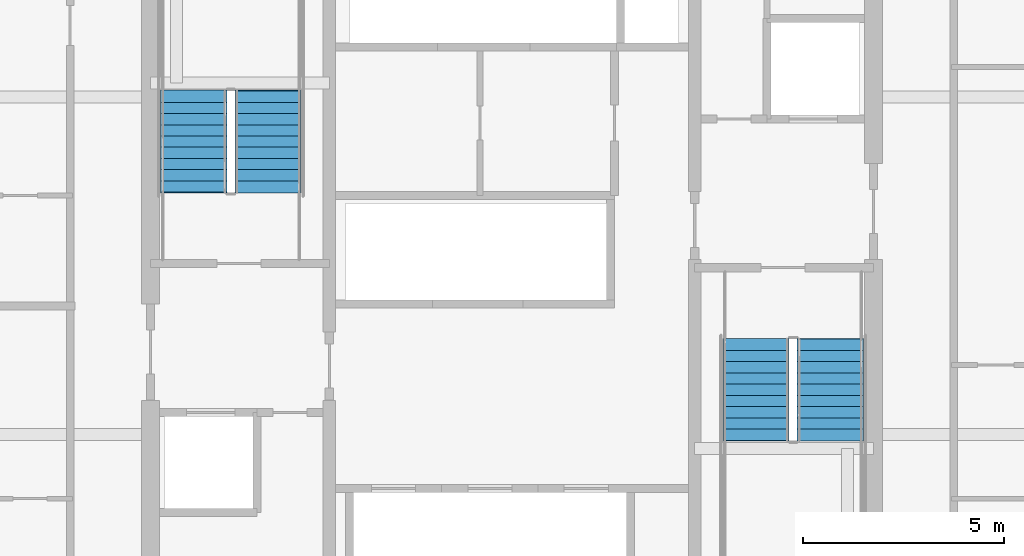
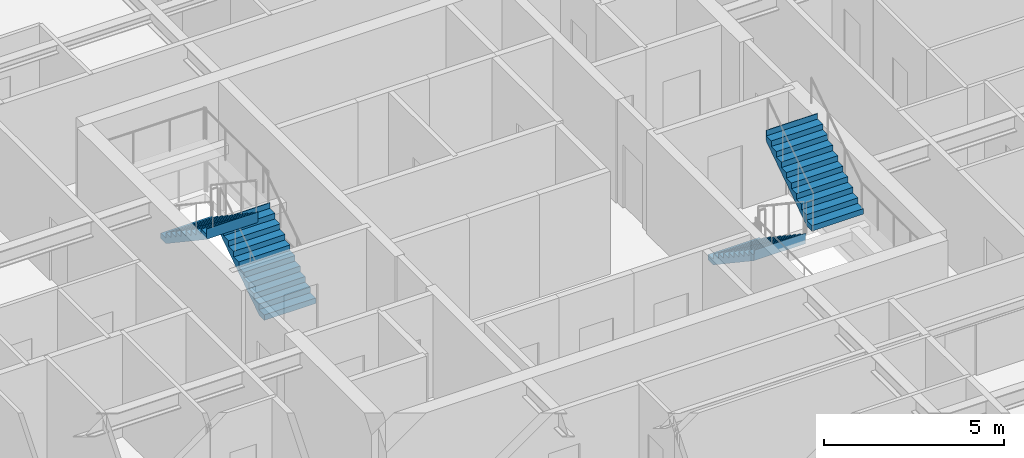
# One storey, part 29 of 35: 4 stair flights, 2 elements without a shape of their own.
"""IFC4 building model written with IfcOpenShell, lengths in metres."""

from ifc_helpers import new_model, si_unit, direction, frame, origin, place, context, subcontext, project, spatial, polygons, material, type_object, element, aggregate, save


model = new_model("IFC4")

# Units and contexts
model_context = context("Model", 3, precision=1e-05, world=origin(), true_north=direction((0.0, 1.0)))
body_context = subcontext(model_context, "Body", "Model", "MODEL_VIEW")
ifc_project = project(units=[si_unit("LENGTHUNIT", "METRE"), si_unit("AREAUNIT", "SQUARE_METRE"), si_unit("VOLUMEUNIT", "CUBIC_METRE"), si_unit("PLANEANGLEUNIT", "RADIAN"), si_unit("MASSUNIT", "GRAM", prefix="KILO")], contexts=[model_context])

# Site, building, storey
site_placement = place(None, origin())
site = spatial("IfcSite", under=ifc_project, at=site_placement, CompositionType="ELEMENT")
building_placement = place(site_placement, origin())
building = spatial("IfcBuilding", under=site, at=building_placement, Name="Serunith Strait Residences", CompositionType="ELEMENT")
storey_placement = place(building_placement, frame((0.0, 0.0, 71.699951171875)))
storey = spatial("IfcBuildingStorey", under=building, at=storey_placement, Name="L17", CompositionType="ELEMENT", Elevation=71.699951171875)

# Stair, stair flights
ifc_material = material(Name="Concrete C50/60", Category="concrete")
stair_type_1 = type_object("IfcStairType", Name="STR-CORE-1", PredefinedType="HALF_TURN_STAIR", material=ifc_material)
stair_1_placement = place(storey_placement, origin())
stair_1 = element("IfcStair", 1, at=stair_1_placement, inside=storey, type_object=stair_type_1, Name="L17 Protected Escape Stair ST-1", PredefinedType="HALF_TURN_STAIR")
stair_flight_type_1 = type_object("IfcStairFlightType", Name="FLT-CORE-1", PredefinedType="STRAIGHT", material=ifc_material)
stair_flight_1_placement = place(storey_placement, frame((26.324951171875, 27.030029296875, 0.0), z_axis=(0.0, 0.0, 1.0), x_axis=(0.0, 1.0, 0.0)))
stair_flight_1 = element("IfcStairFlight", 2, at=stair_flight_1_placement, type_object=stair_flight_type_1, Name="ST-1 flight 1", NumberOfRisers=10, NumberOfTreads=9, PredefinedType="STRAIGHT", RiserHeight=0.1875, TreadLength=0.28, context=body_context, shape_type="Tessellation", body=[
    polygons([(-0.02001953125, -0.824951171875, 0.0), (-0.02001953125, -0.824951171875, 0.1875), (0.280029296875, -0.824951171875, 0.1875), (0.280029296875, -0.824951171875, 0.375), (0.56005859375, -0.824951171875, 0.375), (0.56005859375, -0.824951171875, 0.5625), (0.840087890625, -0.824951171875, 0.5625), (0.840087890625, -0.824951171875, 0.75), (1.1201171875, -0.824951171875, 0.75), (1.1201171875, -0.824951171875, 0.9375), (1.39990234375, -0.824951171875, 0.9375), (1.39990234375, -0.824951171875, 1.125), (1.679931640625, -0.824951171875, 1.125), (1.679931640625, -0.824951171875, 1.3125), (1.9599609375, -0.824951171875, 1.3125), (1.9599609375, -0.824951171875, 1.5), (2.239990234375, -0.824951171875, 1.5), (2.239990234375, -0.824951171875, 1.6875), (2.52001953125, -0.824951171875, 1.6875), (2.52001953125, -0.824951171875, 1.875), (2.5400390625, -0.824951171875, 1.875), (2.5400390625, -0.824951171875, 1.81494140625), (2.52001953125, -0.824951171875, 1.507080078125), (0.26953125, -0.824951171875, 0.0), (-0.02001953125, -0.41259765625, 0.0), (-0.02001953125, -0.41259765625, 0.1875), (0.280029296875, -0.41259765625, 0.1875), (0.280029296875, -0.41259765625, 0.375), (0.56005859375, -0.41259765625, 0.375), (0.56005859375, -0.41259765625, 0.5625), (0.840087890625, -0.41259765625, 0.5625), (0.840087890625, -0.41259765625, 0.75), (1.1201171875, -0.41259765625, 0.75), (1.1201171875, -0.41259765625, 0.9375), (1.39990234375, -0.41259765625, 0.9375), (1.39990234375, -0.41259765625, 1.125), (1.679931640625, -0.41259765625, 1.125), (1.679931640625, -0.41259765625, 1.3125), (1.9599609375, -0.41259765625, 1.3125), (1.9599609375, -0.41259765625, 1.5), (2.239990234375, -0.41259765625, 1.5), (2.239990234375, -0.41259765625, 1.6875), (2.52001953125, -0.41259765625, 1.6875), (2.52001953125, -0.41259765625, 1.875), (2.5400390625, -0.41259765625, 1.875), (2.5400390625, -0.41259765625, 1.81494140625), (2.52001953125, -0.41259765625, 1.507080078125), (0.26953125, -0.41259765625, 0.0), (-0.02001953125, 0.0, 0.0), (-0.02001953125, 0.0, 0.1875), (0.280029296875, 0.0, 0.1875), (0.280029296875, 0.0, 0.375), (0.56005859375, 0.0, 0.375), (0.56005859375, 0.0, 0.5625), (0.840087890625, 0.0, 0.5625), (0.840087890625, 0.0, 0.75), (1.1201171875, 0.0, 0.75), (1.1201171875, 0.0, 0.9375), (1.39990234375, 0.0, 0.9375), (1.39990234375, 0.0, 1.125), (1.679931640625, 0.0, 1.125), (1.679931640625, 0.0, 1.3125), (1.9599609375, 0.0, 1.3125), (1.9599609375, 0.0, 1.5), (2.239990234375, 0.0, 1.5), (2.239990234375, 0.0, 1.6875), (2.52001953125, 0.0, 1.6875), (2.52001953125, 0.0, 1.875), (2.5400390625, 0.0, 1.875), (2.5400390625, 0.0, 1.81494140625), (2.52001953125, 0.0, 1.507080078125), (0.26953125, 0.0, 0.0), (-0.02001953125, 0.41259765625, 0.0), (-0.02001953125, 0.41259765625, 0.1875), (0.280029296875, 0.41259765625, 0.1875), (0.280029296875, 0.41259765625, 0.375), (0.56005859375, 0.41259765625, 0.375), (0.56005859375, 0.41259765625, 0.5625), (0.840087890625, 0.41259765625, 0.5625), (0.840087890625, 0.41259765625, 0.75), (1.1201171875, 0.41259765625, 0.75), (1.1201171875, 0.41259765625, 0.9375), (1.39990234375, 0.41259765625, 0.9375), (1.39990234375, 0.41259765625, 1.125), (1.679931640625, 0.41259765625, 1.125), (1.679931640625, 0.41259765625, 1.3125), (1.9599609375, 0.41259765625, 1.3125), (1.9599609375, 0.41259765625, 1.5), (2.239990234375, 0.41259765625, 1.5), (2.239990234375, 0.41259765625, 1.6875), (2.52001953125, 0.41259765625, 1.6875), (2.52001953125, 0.41259765625, 1.875), (2.5400390625, 0.41259765625, 1.875), (2.5400390625, 0.41259765625, 1.81494140625), (2.52001953125, 0.41259765625, 1.507080078125), (0.26953125, 0.41259765625, 0.0), (-0.02001953125, 0.824951171875, 0.0), (-0.02001953125, 0.824951171875, 0.1875), (0.280029296875, 0.824951171875, 0.1875), (0.280029296875, 0.824951171875, 0.375), (0.56005859375, 0.824951171875, 0.375), (0.56005859375, 0.824951171875, 0.5625), (0.840087890625, 0.824951171875, 0.5625), (0.840087890625, 0.824951171875, 0.75), (1.1201171875, 0.824951171875, 0.75), (1.1201171875, 0.824951171875, 0.9375), (1.39990234375, 0.824951171875, 0.9375), (1.39990234375, 0.824951171875, 1.125), (1.679931640625, 0.824951171875, 1.125), (1.679931640625, 0.824951171875, 1.3125), (1.9599609375, 0.824951171875, 1.3125), (1.9599609375, 0.824951171875, 1.5), (2.239990234375, 0.824951171875, 1.5), (2.239990234375, 0.824951171875, 1.6875), (2.52001953125, 0.824951171875, 1.6875), (2.52001953125, 0.824951171875, 1.875), (2.5400390625, 0.824951171875, 1.875), (2.5400390625, 0.824951171875, 1.81494140625), (2.52001953125, 0.824951171875, 1.507080078125), (0.26953125, 0.824951171875, 0.0)], [[[1, 2, 26, 25]], [[2, 3, 27, 26]], [[3, 4, 28, 27]], [[4, 5, 29, 28]], [[5, 6, 30, 29]], [[6, 7, 31, 30]], [[7, 8, 32, 31]], [[8, 9, 33, 32]], [[9, 10, 34, 33]], [[10, 11, 35, 34]], [[11, 12, 36, 35]], [[12, 13, 37, 36]], [[13, 14, 38, 37]], [[14, 15, 39, 38]], [[15, 16, 40, 39]], [[16, 17, 41, 40]], [[17, 18, 42, 41]], [[18, 19, 43, 42]], [[19, 20, 44, 43]], [[20, 21, 45, 44]], [[21, 22, 46, 45]], [[22, 23, 47, 46]], [[23, 24, 48, 47]], [[24, 1, 25, 48]], [[25, 26, 50, 49]], [[26, 27, 51, 50]], [[27, 28, 52, 51]], [[28, 29, 53, 52]], [[29, 30, 54, 53]], [[30, 31, 55, 54]], [[31, 32, 56, 55]], [[32, 33, 57, 56]], [[33, 34, 58, 57]], [[34, 35, 59, 58]], [[35, 36, 60, 59]], [[36, 37, 61, 60]], [[37, 38, 62, 61]], [[38, 39, 63, 62]], [[39, 40, 64, 63]], [[40, 41, 65, 64]], [[41, 42, 66, 65]], [[42, 43, 67, 66]], [[43, 44, 68, 67]], [[44, 45, 69, 68]], [[45, 46, 70, 69]], [[46, 47, 71, 70]], [[47, 48, 72, 71]], [[48, 25, 49, 72]], [[49, 50, 74, 73]], [[50, 51, 75, 74]], [[51, 52, 76, 75]], [[52, 53, 77, 76]], [[53, 54, 78, 77]], [[54, 55, 79, 78]], [[55, 56, 80, 79]], [[56, 57, 81, 80]], [[57, 58, 82, 81]], [[58, 59, 83, 82]], [[59, 60, 84, 83]], [[60, 61, 85, 84]], [[61, 62, 86, 85]], [[62, 63, 87, 86]], [[63, 64, 88, 87]], [[64, 65, 89, 88]], [[65, 66, 90, 89]], [[66, 67, 91, 90]], [[67, 68, 92, 91]], [[68, 69, 93, 92]], [[69, 70, 94, 93]], [[70, 71, 95, 94]], [[71, 72, 96, 95]], [[72, 49, 73, 96]], [[73, 74, 98, 97]], [[74, 75, 99, 98]], [[75, 76, 100, 99]], [[76, 77, 101, 100]], [[77, 78, 102, 101]], [[78, 79, 103, 102]], [[79, 80, 104, 103]], [[80, 81, 105, 104]], [[81, 82, 106, 105]], [[82, 83, 107, 106]], [[83, 84, 108, 107]], [[84, 85, 109, 108]], [[85, 86, 110, 109]], [[86, 87, 111, 110]], [[87, 88, 112, 111]], [[88, 89, 113, 112]], [[89, 90, 114, 113]], [[90, 91, 115, 114]], [[91, 92, 116, 115]], [[92, 93, 117, 116]], [[93, 94, 118, 117]], [[94, 95, 119, 118]], [[95, 96, 120, 119]], [[96, 73, 97, 120]], [[24, 23, 22, 21, 20, 19, 18, 17, 16, 15, 14, 13, 12, 11, 10, 9, 8, 7, 6, 5, 4, 3, 2, 1]], [[97, 98, 99, 100, 101, 102, 103, 104, 105, 106, 107, 108, 109, 110, 111, 112, 113, 114, 115, 116, 117, 118, 119, 120]]], closed=True),
])
stair_flight_2_placement = place(storey_placement, frame((24.47509765625, 29.550048828125, 1.875), z_axis=(0.0, 0.0, 1.0), x_axis=(0.0, -1.0, 0.0)))
stair_flight_2 = element("IfcStairFlight", 3, at=stair_flight_2_placement, type_object=stair_flight_type_1, Name="ST-1 flight 2", NumberOfRisers=10, NumberOfTreads=9, PredefinedType="STRAIGHT", RiserHeight=0.1875, TreadLength=0.28, context=body_context, shape_type="Tessellation", body=[
    polygons([(-0.02001953125, -0.824951171875, 0.0), (-0.02001953125, -0.824951171875, 0.1875), (0.280029296875, -0.824951171875, 0.1875), (0.280029296875, -0.824951171875, 0.375), (0.56005859375, -0.824951171875, 0.375), (0.56005859375, -0.824951171875, 0.5625), (0.840087890625, -0.824951171875, 0.5625), (0.840087890625, -0.824951171875, 0.75), (1.1201171875, -0.824951171875, 0.75), (1.1201171875, -0.824951171875, 0.9375), (1.39990234375, -0.824951171875, 0.9375), (1.39990234375, -0.824951171875, 1.125), (1.679931640625, -0.824951171875, 1.125), (1.679931640625, -0.824951171875, 1.3125), (1.9599609375, -0.824951171875, 1.3125), (1.9599609375, -0.824951171875, 1.5), (2.239990234375, -0.824951171875, 1.5), (2.239990234375, -0.824951171875, 1.6875), (2.52001953125, -0.824951171875, 1.6875), (2.52001953125, -0.824951171875, 1.875), (2.5400390625, -0.824951171875, 1.875), (2.5400390625, -0.824951171875, 1.81494140625), (2.52001953125, -0.824951171875, 1.507080078125), (0.26953125, -0.824951171875, 0.0), (-0.02001953125, -0.41259765625, 0.0), (-0.02001953125, -0.41259765625, 0.1875), (0.280029296875, -0.41259765625, 0.1875), (0.280029296875, -0.41259765625, 0.375), (0.56005859375, -0.41259765625, 0.375), (0.56005859375, -0.41259765625, 0.5625), (0.840087890625, -0.41259765625, 0.5625), (0.840087890625, -0.41259765625, 0.75), (1.1201171875, -0.41259765625, 0.75), (1.1201171875, -0.41259765625, 0.9375), (1.39990234375, -0.41259765625, 0.9375), (1.39990234375, -0.41259765625, 1.125), (1.679931640625, -0.41259765625, 1.125), (1.679931640625, -0.41259765625, 1.3125), (1.9599609375, -0.41259765625, 1.3125), (1.9599609375, -0.41259765625, 1.5), (2.239990234375, -0.41259765625, 1.5), (2.239990234375, -0.41259765625, 1.6875), (2.52001953125, -0.41259765625, 1.6875), (2.52001953125, -0.41259765625, 1.875), (2.5400390625, -0.41259765625, 1.875), (2.5400390625, -0.41259765625, 1.81494140625), (2.52001953125, -0.41259765625, 1.507080078125), (0.26953125, -0.41259765625, 0.0), (-0.02001953125, 0.0, 0.0), (-0.02001953125, 0.0, 0.1875), (0.280029296875, 0.0, 0.1875), (0.280029296875, 0.0, 0.375), (0.56005859375, 0.0, 0.375), (0.56005859375, 0.0, 0.5625), (0.840087890625, 0.0, 0.5625), (0.840087890625, 0.0, 0.75), (1.1201171875, 0.0, 0.75), (1.1201171875, 0.0, 0.9375), (1.39990234375, 0.0, 0.9375), (1.39990234375, 0.0, 1.125), (1.679931640625, 0.0, 1.125), (1.679931640625, 0.0, 1.3125), (1.9599609375, 0.0, 1.3125), (1.9599609375, 0.0, 1.5), (2.239990234375, 0.0, 1.5), (2.239990234375, 0.0, 1.6875), (2.52001953125, 0.0, 1.6875), (2.52001953125, 0.0, 1.875), (2.5400390625, 0.0, 1.875), (2.5400390625, 0.0, 1.81494140625), (2.52001953125, 0.0, 1.507080078125), (0.26953125, 0.0, 0.0), (-0.02001953125, 0.41259765625, 0.0), (-0.02001953125, 0.41259765625, 0.1875), (0.280029296875, 0.41259765625, 0.1875), (0.280029296875, 0.41259765625, 0.375), (0.56005859375, 0.41259765625, 0.375), (0.56005859375, 0.41259765625, 0.5625), (0.840087890625, 0.41259765625, 0.5625), (0.840087890625, 0.41259765625, 0.75), (1.1201171875, 0.41259765625, 0.75), (1.1201171875, 0.41259765625, 0.9375), (1.39990234375, 0.41259765625, 0.9375), (1.39990234375, 0.41259765625, 1.125), (1.679931640625, 0.41259765625, 1.125), (1.679931640625, 0.41259765625, 1.3125), (1.9599609375, 0.41259765625, 1.3125), (1.9599609375, 0.41259765625, 1.5), (2.239990234375, 0.41259765625, 1.5), (2.239990234375, 0.41259765625, 1.6875), (2.52001953125, 0.41259765625, 1.6875), (2.52001953125, 0.41259765625, 1.875), (2.5400390625, 0.41259765625, 1.875), (2.5400390625, 0.41259765625, 1.81494140625), (2.52001953125, 0.41259765625, 1.507080078125), (0.26953125, 0.41259765625, 0.0), (-0.02001953125, 0.824951171875, 0.0), (-0.02001953125, 0.824951171875, 0.1875), (0.280029296875, 0.824951171875, 0.1875), (0.280029296875, 0.824951171875, 0.375), (0.56005859375, 0.824951171875, 0.375), (0.56005859375, 0.824951171875, 0.5625), (0.840087890625, 0.824951171875, 0.5625), (0.840087890625, 0.824951171875, 0.75), (1.1201171875, 0.824951171875, 0.75), (1.1201171875, 0.824951171875, 0.9375), (1.39990234375, 0.824951171875, 0.9375), (1.39990234375, 0.824951171875, 1.125), (1.679931640625, 0.824951171875, 1.125), (1.679931640625, 0.824951171875, 1.3125), (1.9599609375, 0.824951171875, 1.3125), (1.9599609375, 0.824951171875, 1.5), (2.239990234375, 0.824951171875, 1.5), (2.239990234375, 0.824951171875, 1.6875), (2.52001953125, 0.824951171875, 1.6875), (2.52001953125, 0.824951171875, 1.875), (2.5400390625, 0.824951171875, 1.875), (2.5400390625, 0.824951171875, 1.81494140625), (2.52001953125, 0.824951171875, 1.507080078125), (0.26953125, 0.824951171875, 0.0)], [[[1, 2, 26, 25]], [[2, 3, 27, 26]], [[3, 4, 28, 27]], [[4, 5, 29, 28]], [[5, 6, 30, 29]], [[6, 7, 31, 30]], [[7, 8, 32, 31]], [[8, 9, 33, 32]], [[9, 10, 34, 33]], [[10, 11, 35, 34]], [[11, 12, 36, 35]], [[12, 13, 37, 36]], [[13, 14, 38, 37]], [[14, 15, 39, 38]], [[15, 16, 40, 39]], [[16, 17, 41, 40]], [[17, 18, 42, 41]], [[18, 19, 43, 42]], [[19, 20, 44, 43]], [[20, 21, 45, 44]], [[21, 22, 46, 45]], [[22, 23, 47, 46]], [[23, 24, 48, 47]], [[24, 1, 25, 48]], [[25, 26, 50, 49]], [[26, 27, 51, 50]], [[27, 28, 52, 51]], [[28, 29, 53, 52]], [[29, 30, 54, 53]], [[30, 31, 55, 54]], [[31, 32, 56, 55]], [[32, 33, 57, 56]], [[33, 34, 58, 57]], [[34, 35, 59, 58]], [[35, 36, 60, 59]], [[36, 37, 61, 60]], [[37, 38, 62, 61]], [[38, 39, 63, 62]], [[39, 40, 64, 63]], [[40, 41, 65, 64]], [[41, 42, 66, 65]], [[42, 43, 67, 66]], [[43, 44, 68, 67]], [[44, 45, 69, 68]], [[45, 46, 70, 69]], [[46, 47, 71, 70]], [[47, 48, 72, 71]], [[48, 25, 49, 72]], [[49, 50, 74, 73]], [[50, 51, 75, 74]], [[51, 52, 76, 75]], [[52, 53, 77, 76]], [[53, 54, 78, 77]], [[54, 55, 79, 78]], [[55, 56, 80, 79]], [[56, 57, 81, 80]], [[57, 58, 82, 81]], [[58, 59, 83, 82]], [[59, 60, 84, 83]], [[60, 61, 85, 84]], [[61, 62, 86, 85]], [[62, 63, 87, 86]], [[63, 64, 88, 87]], [[64, 65, 89, 88]], [[65, 66, 90, 89]], [[66, 67, 91, 90]], [[67, 68, 92, 91]], [[68, 69, 93, 92]], [[69, 70, 94, 93]], [[70, 71, 95, 94]], [[71, 72, 96, 95]], [[72, 49, 73, 96]], [[73, 74, 98, 97]], [[74, 75, 99, 98]], [[75, 76, 100, 99]], [[76, 77, 101, 100]], [[77, 78, 102, 101]], [[78, 79, 103, 102]], [[79, 80, 104, 103]], [[80, 81, 105, 104]], [[81, 82, 106, 105]], [[82, 83, 107, 106]], [[83, 84, 108, 107]], [[84, 85, 109, 108]], [[85, 86, 110, 109]], [[86, 87, 111, 110]], [[87, 88, 112, 111]], [[88, 89, 113, 112]], [[89, 90, 114, 113]], [[90, 91, 115, 114]], [[91, 92, 116, 115]], [[92, 93, 117, 116]], [[93, 94, 118, 117]], [[94, 95, 119, 118]], [[95, 96, 120, 119]], [[96, 73, 97, 120]], [[24, 23, 22, 21, 20, 19, 18, 17, 16, 15, 14, 13, 12, 11, 10, 9, 8, 7, 6, 5, 4, 3, 2, 1]], [[97, 98, 99, 100, 101, 102, 103, 104, 105, 106, 107, 108, 109, 110, 111, 112, 113, 114, 115, 116, 117, 118, 119, 120]]], closed=True),
])
aggregate(stair_1, [stair_flight_1, stair_flight_2])

stair_type_2 = type_object("IfcStairType", Name="STR-CORE-2", PredefinedType="HALF_TURN_STAIR", material=ifc_material)
stair_2_placement = place(storey_placement, origin())
stair_2 = element("IfcStair", 4, at=stair_2_placement, inside=storey, type_object=stair_type_2, Name="L17 Protected Escape Stair ST-2", PredefinedType="HALF_TURN_STAIR")
stair_flight_type_2 = type_object("IfcStairFlightType", Name="FLT-CORE-2", PredefinedType="STRAIGHT", material=ifc_material)
stair_flight_3_placement = place(storey_placement, frame((38.47509765625, 23.3701171875, 0.0), z_axis=(0.0, 0.0, 1.0), x_axis=(0.0, -1.0, 0.0)))
stair_flight_3 = element("IfcStairFlight", 5, at=stair_flight_3_placement, type_object=stair_flight_type_2, Name="ST-2 flight 1", NumberOfRisers=10, NumberOfTreads=9, PredefinedType="STRAIGHT", RiserHeight=0.1875, TreadLength=0.28, context=body_context, shape_type="Tessellation", body=[
    polygons([(-0.02001953125, -0.824951171875, 0.0), (-0.02001953125, -0.824951171875, 0.1875), (0.280029296875, -0.824951171875, 0.1875), (0.280029296875, -0.824951171875, 0.375), (0.56005859375, -0.824951171875, 0.375), (0.56005859375, -0.824951171875, 0.5625), (0.840087890625, -0.824951171875, 0.5625), (0.840087890625, -0.824951171875, 0.75), (1.1201171875, -0.824951171875, 0.75), (1.1201171875, -0.824951171875, 0.9375), (1.39990234375, -0.824951171875, 0.9375), (1.39990234375, -0.824951171875, 1.125), (1.679931640625, -0.824951171875, 1.125), (1.679931640625, -0.824951171875, 1.3125), (1.9599609375, -0.824951171875, 1.3125), (1.9599609375, -0.824951171875, 1.5), (2.239990234375, -0.824951171875, 1.5), (2.239990234375, -0.824951171875, 1.6875), (2.52001953125, -0.824951171875, 1.6875), (2.52001953125, -0.824951171875, 1.875), (2.5400390625, -0.824951171875, 1.875), (2.5400390625, -0.824951171875, 1.81494140625), (2.52001953125, -0.824951171875, 1.507080078125), (0.26953125, -0.824951171875, 0.0), (-0.02001953125, -0.41259765625, 0.0), (-0.02001953125, -0.41259765625, 0.1875), (0.280029296875, -0.41259765625, 0.1875), (0.280029296875, -0.41259765625, 0.375), (0.56005859375, -0.41259765625, 0.375), (0.56005859375, -0.41259765625, 0.5625), (0.840087890625, -0.41259765625, 0.5625), (0.840087890625, -0.41259765625, 0.75), (1.1201171875, -0.41259765625, 0.75), (1.1201171875, -0.41259765625, 0.9375), (1.39990234375, -0.41259765625, 0.9375), (1.39990234375, -0.41259765625, 1.125), (1.679931640625, -0.41259765625, 1.125), (1.679931640625, -0.41259765625, 1.3125), (1.9599609375, -0.41259765625, 1.3125), (1.9599609375, -0.41259765625, 1.5), (2.239990234375, -0.41259765625, 1.5), (2.239990234375, -0.41259765625, 1.6875), (2.52001953125, -0.41259765625, 1.6875), (2.52001953125, -0.41259765625, 1.875), (2.5400390625, -0.41259765625, 1.875), (2.5400390625, -0.41259765625, 1.81494140625), (2.52001953125, -0.41259765625, 1.507080078125), (0.26953125, -0.41259765625, 0.0), (-0.02001953125, 0.0, 0.0), (-0.02001953125, 0.0, 0.1875), (0.280029296875, 0.0, 0.1875), (0.280029296875, 0.0, 0.375), (0.56005859375, 0.0, 0.375), (0.56005859375, 0.0, 0.5625), (0.840087890625, 0.0, 0.5625), (0.840087890625, 0.0, 0.75), (1.1201171875, 0.0, 0.75), (1.1201171875, 0.0, 0.9375), (1.39990234375, 0.0, 0.9375), (1.39990234375, 0.0, 1.125), (1.679931640625, 0.0, 1.125), (1.679931640625, 0.0, 1.3125), (1.9599609375, 0.0, 1.3125), (1.9599609375, 0.0, 1.5), (2.239990234375, 0.0, 1.5), (2.239990234375, 0.0, 1.6875), (2.52001953125, 0.0, 1.6875), (2.52001953125, 0.0, 1.875), (2.5400390625, 0.0, 1.875), (2.5400390625, 0.0, 1.81494140625), (2.52001953125, 0.0, 1.507080078125), (0.26953125, 0.0, 0.0), (-0.02001953125, 0.41259765625, 0.0), (-0.02001953125, 0.41259765625, 0.1875), (0.280029296875, 0.41259765625, 0.1875), (0.280029296875, 0.41259765625, 0.375), (0.56005859375, 0.41259765625, 0.375), (0.56005859375, 0.41259765625, 0.5625), (0.840087890625, 0.41259765625, 0.5625), (0.840087890625, 0.41259765625, 0.75), (1.1201171875, 0.41259765625, 0.75), (1.1201171875, 0.41259765625, 0.9375), (1.39990234375, 0.41259765625, 0.9375), (1.39990234375, 0.41259765625, 1.125), (1.679931640625, 0.41259765625, 1.125), (1.679931640625, 0.41259765625, 1.3125), (1.9599609375, 0.41259765625, 1.3125), (1.9599609375, 0.41259765625, 1.5), (2.239990234375, 0.41259765625, 1.5), (2.239990234375, 0.41259765625, 1.6875), (2.52001953125, 0.41259765625, 1.6875), (2.52001953125, 0.41259765625, 1.875), (2.5400390625, 0.41259765625, 1.875), (2.5400390625, 0.41259765625, 1.81494140625), (2.52001953125, 0.41259765625, 1.507080078125), (0.26953125, 0.41259765625, 0.0), (-0.02001953125, 0.824951171875, 0.0), (-0.02001953125, 0.824951171875, 0.1875), (0.280029296875, 0.824951171875, 0.1875), (0.280029296875, 0.824951171875, 0.375), (0.56005859375, 0.824951171875, 0.375), (0.56005859375, 0.824951171875, 0.5625), (0.840087890625, 0.824951171875, 0.5625), (0.840087890625, 0.824951171875, 0.75), (1.1201171875, 0.824951171875, 0.75), (1.1201171875, 0.824951171875, 0.9375), (1.39990234375, 0.824951171875, 0.9375), (1.39990234375, 0.824951171875, 1.125), (1.679931640625, 0.824951171875, 1.125), (1.679931640625, 0.824951171875, 1.3125), (1.9599609375, 0.824951171875, 1.3125), (1.9599609375, 0.824951171875, 1.5), (2.239990234375, 0.824951171875, 1.5), (2.239990234375, 0.824951171875, 1.6875), (2.52001953125, 0.824951171875, 1.6875), (2.52001953125, 0.824951171875, 1.875), (2.5400390625, 0.824951171875, 1.875), (2.5400390625, 0.824951171875, 1.81494140625), (2.52001953125, 0.824951171875, 1.507080078125), (0.26953125, 0.824951171875, 0.0)], [[[1, 2, 26, 25]], [[2, 3, 27, 26]], [[3, 4, 28, 27]], [[4, 5, 29, 28]], [[5, 6, 30, 29]], [[6, 7, 31, 30]], [[7, 8, 32, 31]], [[8, 9, 33, 32]], [[9, 10, 34, 33]], [[10, 11, 35, 34]], [[11, 12, 36, 35]], [[12, 13, 37, 36]], [[13, 14, 38, 37]], [[14, 15, 39, 38]], [[15, 16, 40, 39]], [[16, 17, 41, 40]], [[17, 18, 42, 41]], [[18, 19, 43, 42]], [[19, 20, 44, 43]], [[20, 21, 45, 44]], [[21, 22, 46, 45]], [[22, 23, 47, 46]], [[23, 24, 48, 47]], [[24, 1, 25, 48]], [[25, 26, 50, 49]], [[26, 27, 51, 50]], [[27, 28, 52, 51]], [[28, 29, 53, 52]], [[29, 30, 54, 53]], [[30, 31, 55, 54]], [[31, 32, 56, 55]], [[32, 33, 57, 56]], [[33, 34, 58, 57]], [[34, 35, 59, 58]], [[35, 36, 60, 59]], [[36, 37, 61, 60]], [[37, 38, 62, 61]], [[38, 39, 63, 62]], [[39, 40, 64, 63]], [[40, 41, 65, 64]], [[41, 42, 66, 65]], [[42, 43, 67, 66]], [[43, 44, 68, 67]], [[44, 45, 69, 68]], [[45, 46, 70, 69]], [[46, 47, 71, 70]], [[47, 48, 72, 71]], [[48, 25, 49, 72]], [[49, 50, 74, 73]], [[50, 51, 75, 74]], [[51, 52, 76, 75]], [[52, 53, 77, 76]], [[53, 54, 78, 77]], [[54, 55, 79, 78]], [[55, 56, 80, 79]], [[56, 57, 81, 80]], [[57, 58, 82, 81]], [[58, 59, 83, 82]], [[59, 60, 84, 83]], [[60, 61, 85, 84]], [[61, 62, 86, 85]], [[62, 63, 87, 86]], [[63, 64, 88, 87]], [[64, 65, 89, 88]], [[65, 66, 90, 89]], [[66, 67, 91, 90]], [[67, 68, 92, 91]], [[68, 69, 93, 92]], [[69, 70, 94, 93]], [[70, 71, 95, 94]], [[71, 72, 96, 95]], [[72, 49, 73, 96]], [[73, 74, 98, 97]], [[74, 75, 99, 98]], [[75, 76, 100, 99]], [[76, 77, 101, 100]], [[77, 78, 102, 101]], [[78, 79, 103, 102]], [[79, 80, 104, 103]], [[80, 81, 105, 104]], [[81, 82, 106, 105]], [[82, 83, 107, 106]], [[83, 84, 108, 107]], [[84, 85, 109, 108]], [[85, 86, 110, 109]], [[86, 87, 111, 110]], [[87, 88, 112, 111]], [[88, 89, 113, 112]], [[89, 90, 114, 113]], [[90, 91, 115, 114]], [[91, 92, 116, 115]], [[92, 93, 117, 116]], [[93, 94, 118, 117]], [[94, 95, 119, 118]], [[95, 96, 120, 119]], [[96, 73, 97, 120]], [[24, 23, 22, 21, 20, 19, 18, 17, 16, 15, 14, 13, 12, 11, 10, 9, 8, 7, 6, 5, 4, 3, 2, 1]], [[97, 98, 99, 100, 101, 102, 103, 104, 105, 106, 107, 108, 109, 110, 111, 112, 113, 114, 115, 116, 117, 118, 119, 120]]], closed=True),
])
stair_flight_4_placement = place(storey_placement, frame((40.324951171875, 20.85009765625, 1.875), z_axis=(0.0, 0.0, 1.0), x_axis=(0.0, 1.0, 0.0)))
stair_flight_4 = element("IfcStairFlight", 6, at=stair_flight_4_placement, type_object=stair_flight_type_2, Name="ST-2 flight 2", NumberOfRisers=10, NumberOfTreads=9, PredefinedType="STRAIGHT", RiserHeight=0.1875, TreadLength=0.28, context=body_context, shape_type="Tessellation", body=[
    polygons([(-0.02001953125, -0.824951171875, 0.0), (-0.02001953125, -0.824951171875, 0.1875), (0.280029296875, -0.824951171875, 0.1875), (0.280029296875, -0.824951171875, 0.375), (0.56005859375, -0.824951171875, 0.375), (0.56005859375, -0.824951171875, 0.5625), (0.840087890625, -0.824951171875, 0.5625), (0.840087890625, -0.824951171875, 0.75), (1.1201171875, -0.824951171875, 0.75), (1.1201171875, -0.824951171875, 0.9375), (1.39990234375, -0.824951171875, 0.9375), (1.39990234375, -0.824951171875, 1.125), (1.679931640625, -0.824951171875, 1.125), (1.679931640625, -0.824951171875, 1.3125), (1.9599609375, -0.824951171875, 1.3125), (1.9599609375, -0.824951171875, 1.5), (2.239990234375, -0.824951171875, 1.5), (2.239990234375, -0.824951171875, 1.6875), (2.52001953125, -0.824951171875, 1.6875), (2.52001953125, -0.824951171875, 1.875), (2.5400390625, -0.824951171875, 1.875), (2.5400390625, -0.824951171875, 1.81494140625), (2.52001953125, -0.824951171875, 1.507080078125), (0.26953125, -0.824951171875, 0.0), (-0.02001953125, -0.41259765625, 0.0), (-0.02001953125, -0.41259765625, 0.1875), (0.280029296875, -0.41259765625, 0.1875), (0.280029296875, -0.41259765625, 0.375), (0.56005859375, -0.41259765625, 0.375), (0.56005859375, -0.41259765625, 0.5625), (0.840087890625, -0.41259765625, 0.5625), (0.840087890625, -0.41259765625, 0.75), (1.1201171875, -0.41259765625, 0.75), (1.1201171875, -0.41259765625, 0.9375), (1.39990234375, -0.41259765625, 0.9375), (1.39990234375, -0.41259765625, 1.125), (1.679931640625, -0.41259765625, 1.125), (1.679931640625, -0.41259765625, 1.3125), (1.9599609375, -0.41259765625, 1.3125), (1.9599609375, -0.41259765625, 1.5), (2.239990234375, -0.41259765625, 1.5), (2.239990234375, -0.41259765625, 1.6875), (2.52001953125, -0.41259765625, 1.6875), (2.52001953125, -0.41259765625, 1.875), (2.5400390625, -0.41259765625, 1.875), (2.5400390625, -0.41259765625, 1.81494140625), (2.52001953125, -0.41259765625, 1.507080078125), (0.26953125, -0.41259765625, 0.0), (-0.02001953125, 0.0, 0.0), (-0.02001953125, 0.0, 0.1875), (0.280029296875, 0.0, 0.1875), (0.280029296875, 0.0, 0.375), (0.56005859375, 0.0, 0.375), (0.56005859375, 0.0, 0.5625), (0.840087890625, 0.0, 0.5625), (0.840087890625, 0.0, 0.75), (1.1201171875, 0.0, 0.75), (1.1201171875, 0.0, 0.9375), (1.39990234375, 0.0, 0.9375), (1.39990234375, 0.0, 1.125), (1.679931640625, 0.0, 1.125), (1.679931640625, 0.0, 1.3125), (1.9599609375, 0.0, 1.3125), (1.9599609375, 0.0, 1.5), (2.239990234375, 0.0, 1.5), (2.239990234375, 0.0, 1.6875), (2.52001953125, 0.0, 1.6875), (2.52001953125, 0.0, 1.875), (2.5400390625, 0.0, 1.875), (2.5400390625, 0.0, 1.81494140625), (2.52001953125, 0.0, 1.507080078125), (0.26953125, 0.0, 0.0), (-0.02001953125, 0.41259765625, 0.0), (-0.02001953125, 0.41259765625, 0.1875), (0.280029296875, 0.41259765625, 0.1875), (0.280029296875, 0.41259765625, 0.375), (0.56005859375, 0.41259765625, 0.375), (0.56005859375, 0.41259765625, 0.5625), (0.840087890625, 0.41259765625, 0.5625), (0.840087890625, 0.41259765625, 0.75), (1.1201171875, 0.41259765625, 0.75), (1.1201171875, 0.41259765625, 0.9375), (1.39990234375, 0.41259765625, 0.9375), (1.39990234375, 0.41259765625, 1.125), (1.679931640625, 0.41259765625, 1.125), (1.679931640625, 0.41259765625, 1.3125), (1.9599609375, 0.41259765625, 1.3125), (1.9599609375, 0.41259765625, 1.5), (2.239990234375, 0.41259765625, 1.5), (2.239990234375, 0.41259765625, 1.6875), (2.52001953125, 0.41259765625, 1.6875), (2.52001953125, 0.41259765625, 1.875), (2.5400390625, 0.41259765625, 1.875), (2.5400390625, 0.41259765625, 1.81494140625), (2.52001953125, 0.41259765625, 1.507080078125), (0.26953125, 0.41259765625, 0.0), (-0.02001953125, 0.824951171875, 0.0), (-0.02001953125, 0.824951171875, 0.1875), (0.280029296875, 0.824951171875, 0.1875), (0.280029296875, 0.824951171875, 0.375), (0.56005859375, 0.824951171875, 0.375), (0.56005859375, 0.824951171875, 0.5625), (0.840087890625, 0.824951171875, 0.5625), (0.840087890625, 0.824951171875, 0.75), (1.1201171875, 0.824951171875, 0.75), (1.1201171875, 0.824951171875, 0.9375), (1.39990234375, 0.824951171875, 0.9375), (1.39990234375, 0.824951171875, 1.125), (1.679931640625, 0.824951171875, 1.125), (1.679931640625, 0.824951171875, 1.3125), (1.9599609375, 0.824951171875, 1.3125), (1.9599609375, 0.824951171875, 1.5), (2.239990234375, 0.824951171875, 1.5), (2.239990234375, 0.824951171875, 1.6875), (2.52001953125, 0.824951171875, 1.6875), (2.52001953125, 0.824951171875, 1.875), (2.5400390625, 0.824951171875, 1.875), (2.5400390625, 0.824951171875, 1.81494140625), (2.52001953125, 0.824951171875, 1.507080078125), (0.26953125, 0.824951171875, 0.0)], [[[1, 2, 26, 25]], [[2, 3, 27, 26]], [[3, 4, 28, 27]], [[4, 5, 29, 28]], [[5, 6, 30, 29]], [[6, 7, 31, 30]], [[7, 8, 32, 31]], [[8, 9, 33, 32]], [[9, 10, 34, 33]], [[10, 11, 35, 34]], [[11, 12, 36, 35]], [[12, 13, 37, 36]], [[13, 14, 38, 37]], [[14, 15, 39, 38]], [[15, 16, 40, 39]], [[16, 17, 41, 40]], [[17, 18, 42, 41]], [[18, 19, 43, 42]], [[19, 20, 44, 43]], [[20, 21, 45, 44]], [[21, 22, 46, 45]], [[22, 23, 47, 46]], [[23, 24, 48, 47]], [[24, 1, 25, 48]], [[25, 26, 50, 49]], [[26, 27, 51, 50]], [[27, 28, 52, 51]], [[28, 29, 53, 52]], [[29, 30, 54, 53]], [[30, 31, 55, 54]], [[31, 32, 56, 55]], [[32, 33, 57, 56]], [[33, 34, 58, 57]], [[34, 35, 59, 58]], [[35, 36, 60, 59]], [[36, 37, 61, 60]], [[37, 38, 62, 61]], [[38, 39, 63, 62]], [[39, 40, 64, 63]], [[40, 41, 65, 64]], [[41, 42, 66, 65]], [[42, 43, 67, 66]], [[43, 44, 68, 67]], [[44, 45, 69, 68]], [[45, 46, 70, 69]], [[46, 47, 71, 70]], [[47, 48, 72, 71]], [[48, 25, 49, 72]], [[49, 50, 74, 73]], [[50, 51, 75, 74]], [[51, 52, 76, 75]], [[52, 53, 77, 76]], [[53, 54, 78, 77]], [[54, 55, 79, 78]], [[55, 56, 80, 79]], [[56, 57, 81, 80]], [[57, 58, 82, 81]], [[58, 59, 83, 82]], [[59, 60, 84, 83]], [[60, 61, 85, 84]], [[61, 62, 86, 85]], [[62, 63, 87, 86]], [[63, 64, 88, 87]], [[64, 65, 89, 88]], [[65, 66, 90, 89]], [[66, 67, 91, 90]], [[67, 68, 92, 91]], [[68, 69, 93, 92]], [[69, 70, 94, 93]], [[70, 71, 95, 94]], [[71, 72, 96, 95]], [[72, 49, 73, 96]], [[73, 74, 98, 97]], [[74, 75, 99, 98]], [[75, 76, 100, 99]], [[76, 77, 101, 100]], [[77, 78, 102, 101]], [[78, 79, 103, 102]], [[79, 80, 104, 103]], [[80, 81, 105, 104]], [[81, 82, 106, 105]], [[82, 83, 107, 106]], [[83, 84, 108, 107]], [[84, 85, 109, 108]], [[85, 86, 110, 109]], [[86, 87, 111, 110]], [[87, 88, 112, 111]], [[88, 89, 113, 112]], [[89, 90, 114, 113]], [[90, 91, 115, 114]], [[91, 92, 116, 115]], [[92, 93, 117, 116]], [[93, 94, 118, 117]], [[94, 95, 119, 118]], [[95, 96, 120, 119]], [[96, 73, 97, 120]], [[24, 23, 22, 21, 20, 19, 18, 17, 16, 15, 14, 13, 12, 11, 10, 9, 8, 7, 6, 5, 4, 3, 2, 1]], [[97, 98, 99, 100, 101, 102, 103, 104, 105, 106, 107, 108, 109, 110, 111, 112, 113, 114, 115, 116, 117, 118, 119, 120]]], closed=True),
])
aggregate(stair_2, [stair_flight_3, stair_flight_4])

save(model, "model.ifc")
